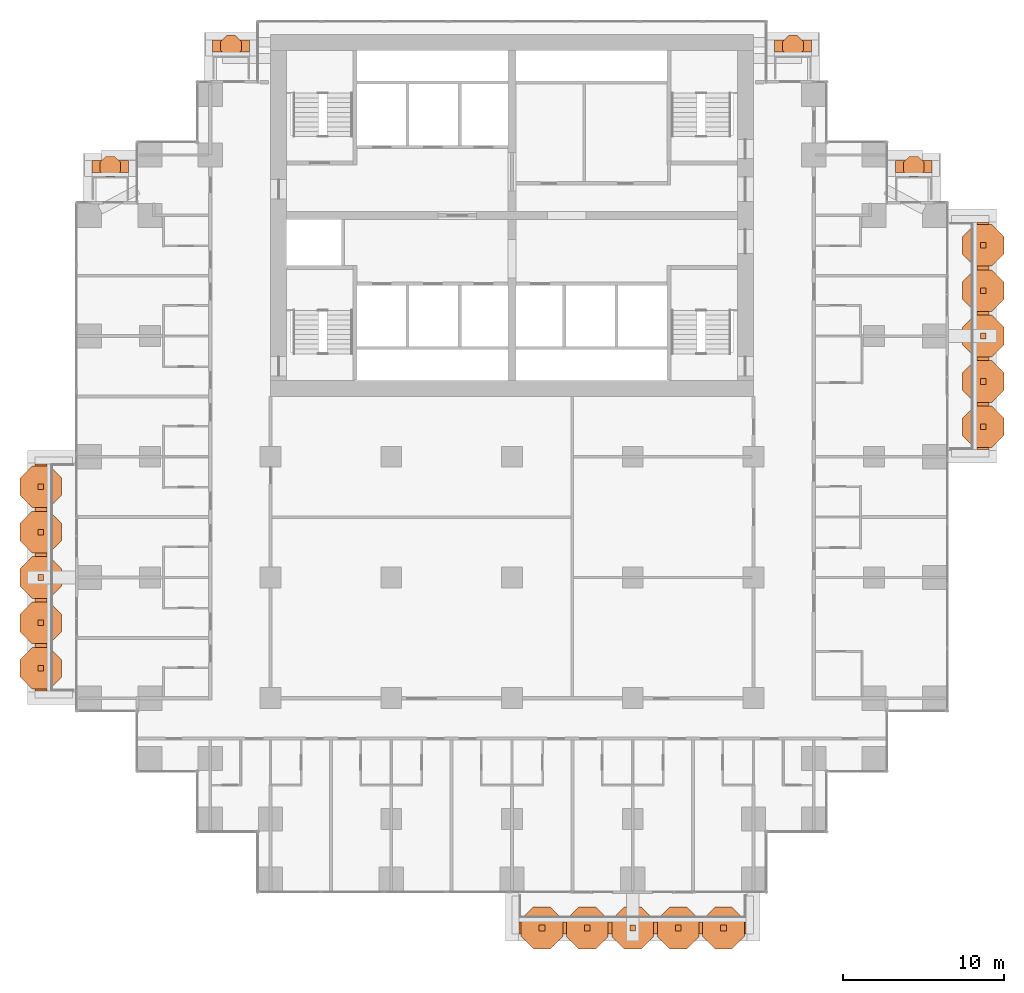
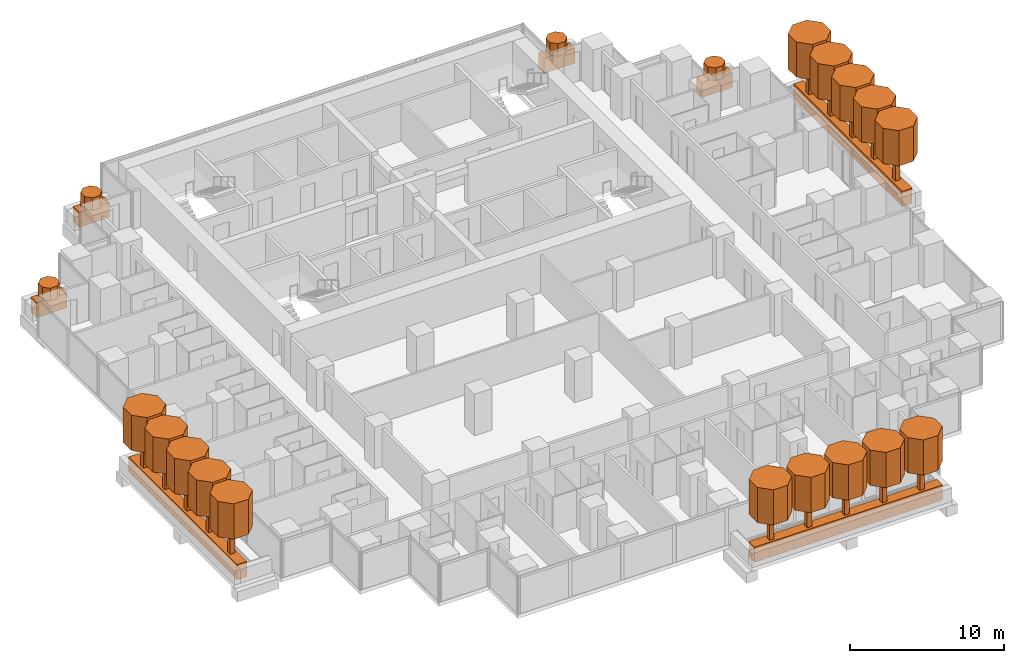
# One storey, part 20 of 20: 41 geographic elements.
"""IFC4 building model written with IfcOpenShell, lengths in metres."""

import ifcopenshell
import ifcopenshell.guid

model = None  # the IFC model being written
_history = None  # IfcOwnerHistory: only IFC2X3 demands one
_inside = {}  # id of a spatial element -> (the spatial element, [elements in it])
_under = {}  # id of a project, library or spatial element -> (it, [spatial elements below it])
_declared = {}  # id of a project -> (the project, [libraries it declares])
_typed = {}  # id of a type object -> (the type object, [elements of that type])
_made_of = {}  # id of a material, layer set ... -> (it, [elements and type objects made of it])


def new_model(schema):
    """Start an empty IFC model of exactly this schema.

    Asked for "IFC4X3", IfcOpenShell would pick the latest addendum, in which some entities
    have other attributes; the version numbers below select the first issue.
    IFC2X3 requires an IfcOwnerHistory on every rooted entity: one is made here for all.
    """
    global model, _history
    if schema == "IFC4X3":
        model = ifcopenshell.file(schema_version=(4, 3, 0, 0))
    else:
        model = ifcopenshell.file(schema=schema)
    _inside.clear()
    _under.clear()
    _declared.clear()
    _typed.clear()
    _made_of.clear()
    _history = None
    if model.schema == "IFC2X3":
        org = make("IfcOrganization", Name="unknown")
        user = make(
            "IfcPersonAndOrganization",
            ThePerson=make("IfcPerson", FamilyName="unknown"),
            TheOrganization=org,
        )
        app = make(
            "IfcApplication",
            ApplicationDeveloper=org,
            Version="unknown",
            ApplicationFullName="unknown",
            ApplicationIdentifier="unknown",
        )
        _history = make(
            "IfcOwnerHistory",
            OwningUser=user,
            OwningApplication=app,
            ChangeAction="ADDED",
            CreationDate=0,
        )
    return model


def make(cls, **values):
    """One entity of the class cls with the attributes given. An attribute that is None is left unset."""
    return model.create_entity(
        cls, **{name: value for name, value in values.items() if value is not None}
    )


def rooted(cls, **values):
    """An entity with a GlobalId (a new one), such as an element, a storey or a relation."""
    return make(cls, GlobalId=ifcopenshell.guid.new(), OwnerHistory=_history, **values)


def si_unit(unit_type, name, prefix=None):
    """IfcSIUnit, for example si_unit("LENGTHUNIT", "METRE", prefix="MILLI")."""
    return make("IfcSIUnit", UnitType=unit_type, Prefix=prefix, Name=name)


def assignment(units):
    """IfcUnitAssignment: the units of a project."""
    return None if units is None else make("IfcUnitAssignment", Units=units)


def point(xyz):
    """IfcCartesianPoint."""
    return None if xyz is None else make("IfcCartesianPoint", Coordinates=xyz)


def direction(xyz):
    """IfcDirection."""
    return None if xyz is None else make("IfcDirection", DirectionRatios=xyz)


def frame(location, z_axis=None, x_axis=None):
    """IfcAxis2Placement3D, a coordinate frame: its origin and axes. An axis left out is left unset."""
    return make(
        "IfcAxis2Placement3D",
        Location=point(location),
        Axis=direction(z_axis),
        RefDirection=direction(x_axis),
    )


def frame_2d(location, x_axis=None):
    """IfcAxis2Placement2D, a coordinate frame in the plane: its origin and x axis."""
    return make(
        "IfcAxis2Placement2D", Location=point(location), RefDirection=direction(x_axis)
    )


def origin():
    """The frame at (0, 0, 0) with its axes left unset."""
    return frame((0.0, 0.0, 0.0))


def origin_2d():
    """The frame at (0, 0) in the plane with its x axis left unset."""
    return frame_2d((0.0, 0.0))


def place(relative_to, where):
    """IfcLocalPlacement: puts the frame where relative to a parent placement (None: the world)."""
    return make(
        "IfcLocalPlacement", PlacementRelTo=relative_to, RelativePlacement=where
    )


def context(
    kind, dimensions, precision=None, world=None, true_north=None, identifier=None
):
    """IfcGeometricRepresentationContext, for example the 3D "Model" context."""
    return make(
        "IfcGeometricRepresentationContext",
        ContextIdentifier=identifier,
        ContextType=kind,
        CoordinateSpaceDimension=dimensions,
        Precision=precision,
        WorldCoordinateSystem=world,
        TrueNorth=true_north,
    )


def subcontext(parent, identifier, kind, view, scale=None):
    """IfcGeometricRepresentationSubContext, for example "Body" below "Model"."""
    return make(
        "IfcGeometricRepresentationSubContext",
        ContextIdentifier=identifier,
        ContextType=kind,
        ParentContext=parent,
        TargetScale=scale,
        TargetView=view,
    )


def project(units=None, contexts=None):
    """IfcProject with its units and contexts."""
    return rooted(
        "IfcProject",
        Name="project",
        RepresentationContexts=contexts,
        UnitsInContext=assignment(units),
    )


def spatial(cls, under=None, at=None, **own):
    """A site, building, storey or space (cls), placed at a placement, below another one or the project."""
    s = rooted(cls, ObjectPlacement=at, **own)
    if under is not None:
        _under.setdefault(under.id(), (under, []))[1].append(s)
    return s


def polyline(points):
    """IfcPolyline through the points."""
    return make("IfcPolyline", Points=[point(p) for p in points])


def profile(cls, at=None, kind="AREA", **sizes):
    """A parametric profile (cls). Its sizes go by their IFC names, for example OverallWidth=200.0."""
    return make(cls, ProfileType=kind, Position=at, **sizes)


def rectangle(**sizes):
    """IfcRectangleProfileDef."""
    return profile("IfcRectangleProfileDef", **sizes)


def outline(outer, holes=None, kind="AREA"):
    """IfcArbitraryClosedProfileDef: a profile drawn as a closed curve; with holes, ...WithVoids."""
    if holes is None:
        return make("IfcArbitraryClosedProfileDef", ProfileType=kind, OuterCurve=outer)
    return make(
        "IfcArbitraryProfileDefWithVoids",
        ProfileType=kind,
        OuterCurve=outer,
        InnerCurves=holes,
    )


def extrude(swept, where, along, depth):
    """IfcExtrudedAreaSolid: the profile swept, set in the frame where, extruded along a direction by depth."""
    return make(
        "IfcExtrudedAreaSolid",
        SweptArea=swept,
        Position=where,
        ExtrudedDirection=direction(along),
        Depth=depth,
    )


def shape(context_of_items, identifier, shape_type, items):
    """IfcShapeRepresentation: the items that make up one representation, for example the "Body"."""
    return make(
        "IfcShapeRepresentation",
        ContextOfItems=context_of_items,
        RepresentationIdentifier=identifier,
        RepresentationType=shape_type,
        Items=items,
    )


def material(Name=None, Category=None):
    """IfcMaterial."""
    return make("IfcMaterial", Name=Name, Category=Category)


def material_profile(
    of_material, cross_section, Name=None, Category=None, Priority=None
):
    """IfcMaterialProfile: a cross section and its material."""
    return make(
        "IfcMaterialProfile",
        Name=Name,
        Material=of_material,
        Profile=cross_section,
        Priority=Priority,
        Category=Category,
    )


def profile_set(profiles, Name=None, composite=None):
    """IfcMaterialProfileSet."""
    return make(
        "IfcMaterialProfileSet",
        Name=Name,
        MaterialProfiles=profiles,
        CompositeProfile=composite,
    )


def made_of(thing, what):
    """Note that an element or type object is made of a material, layer set ...; save() writes the relation."""
    if what is not None:
        _made_of.setdefault(what.id(), (what, []))[1].append(thing)
    return thing


def type_object(cls, material=None, **own):
    """A type object (cls), such as IfcWallType, which elements share."""
    return made_of(rooted(cls, **own), material)


def element(
    cls,
    number,
    at=None,
    inside=None,
    cuts=None,
    type_object=None,
    material=None,
    context=None,
    identifier="Body",
    shape_type=None,
    held_by="IfcProductDefinitionShape",
    body=None,
    shapes=None,
    **own,
):
    """One element of the class cls, such as IfcWall. Its Tag is "e" and its number.

    at: its placement. inside: the storey or other place that contains it. cuts: it is an
    opening in that element (IfcRelVoidsElement). A single representation is given by context,
    identifier, shape_type and body (its items); several are given by shapes. held_by: the class
    of the entity that holds the representations. save() writes the other relations.
    """
    e = rooted(cls, Tag="e%d" % number, ObjectPlacement=at, **own)
    if body is not None:
        shapes = [shape(context, identifier, shape_type, body)]
    if shapes is not None:
        e.Representation = make(held_by, Representations=shapes)
    if inside is not None:
        _inside.setdefault(inside.id(), (inside, []))[1].append(e)
    if cuts is not None:
        rooted(
            "IfcRelVoidsElement", RelatingBuildingElement=cuts, RelatedOpeningElement=e
        )
    if type_object is not None:
        _typed.setdefault(type_object.id(), (type_object, []))[1].append(e)
    return made_of(e, material)


def aggregate(whole, parts):
    """IfcRelAggregates: a whole, such as a stair, and the parts it consists of."""
    return rooted("IfcRelAggregates", RelatingObject=whole, RelatedObjects=parts)


def save(model, path):
    """Write the relations noted so far, then the file.

    IfcRelAggregates (storeys below a building ...), IfcRelContainedInSpatialStructure (elements
    in a storey), IfcRelDefinesByType, IfcRelAssociatesMaterial and IfcRelDeclares: one each for
    every whole, place, type object, material and project.
    """
    for whole, parts in _under.values():
        aggregate(whole, parts)
    for where, things in _inside.values():
        rooted(
            "IfcRelContainedInSpatialStructure",
            RelatedElements=things,
            RelatingStructure=where,
        )
    for kind, things in _typed.values():
        rooted("IfcRelDefinesByType", RelatedObjects=things, RelatingType=kind)
    for what, things in _made_of.values():
        rooted("IfcRelAssociatesMaterial", RelatedObjects=things, RelatingMaterial=what)
    for by, libraries in _declared.values():
        rooted("IfcRelDeclares", RelatingContext=by, RelatedDefinitions=libraries)
    model.write(path)


model = new_model("IFC4")

# Units and contexts
model_context = context("Model", 3, precision=1e-05, world=origin(), true_north=direction((0.0, 1.0)))
body_context = subcontext(model_context, "Body", "Model", "MODEL_VIEW")
ifc_project = project(units=[si_unit("LENGTHUNIT", "METRE"), si_unit("AREAUNIT", "SQUARE_METRE"), si_unit("VOLUMEUNIT", "CUBIC_METRE"), si_unit("PLANEANGLEUNIT", "RADIAN"), si_unit("MASSUNIT", "GRAM", prefix="KILO")], contexts=[model_context])

# Site, building, storey
site_placement = place(None, origin())
site = spatial("IfcSite", under=ifc_project, at=site_placement, CompositionType="ELEMENT")
building_placement = place(site_placement, origin())
building = spatial("IfcBuilding", under=site, at=building_placement, Name="Pilkhan Gate Tower", CompositionType="ELEMENT")
storey_placement = place(building_placement, frame((0.0, 0.0, 85.699951171875)))
storey = spatial("IfcBuildingStorey", under=building, at=storey_placement, Name="L20", CompositionType="ELEMENT", Elevation=85.699951171875)

# Geographic elements
ifc_material_1 = material(Name="Foliage")
ifc_material_profile_1 = material_profile(ifc_material_1, rectangle(XDim=0.75, YDim=1.199951171875, at=origin_2d()), Name="Bed 750x1200")
ifc_profile_set_1 = profile_set([ifc_material_profile_1], Name="Foliage")
geographic_element_type_1 = type_object("IfcGeographicElementType", Name="Planting bed PB1", PredefinedType="USERDEFINED", material=ifc_profile_set_1)
for number, where, z_axis, x_axis, name in (
    (1, (75.449951171875, 38.22509765625, 0.60009765625), (1.0, 0.0, 0.0), (0.0, 1.0, 0.0), "Balcony L20 S planting bed"),
    (2, (104.27490234375, 67.949951171875, 0.60009765625), (0.0, 1.0, 0.0), (-1.0, 0.0, 0.0), "Balcony L20 E planting bed"),
):
    element("IfcGeographicElement", number, at=place(storey_placement, frame(where, z_axis=z_axis, x_axis=x_axis)), inside=storey, type_object=geographic_element_type_1, Name=name, ObjectType="PLANTING BED", PredefinedType="USERDEFINED", context=body_context, shape_type="SweptSolid", body=[
        extrude(rectangle(XDim=0.75, YDim=1.199951171875, at=origin_2d()), origin(), (0.0, 0.0, 1.0), 14.10009765625),
    ])
for number, where, z_axis, x_axis, name in (
    (3, (56.39990234375, 93.02490234375, 0.60009765625), (1.0, 0.0, 0.0), (0.0, 1.0, 0.0), "Balcony L20 N planting bed"),
    (4, (91.300048828125, 93.02490234375, 0.60009765625), (1.0, 0.0, 0.0), (0.0, 1.0, 0.0), "Balcony L20 N planting bed"),
):
    element("IfcGeographicElement", number, at=place(storey_placement, frame(where, z_axis=z_axis, x_axis=x_axis)), inside=storey, type_object=geographic_element_type_1, Name=name, ObjectType="PLANTING BED", PredefinedType="USERDEFINED", context=body_context, shape_type="SweptSolid", body=[
        extrude(rectangle(XDim=0.75, YDim=1.199951171875, at=origin_2d()), origin(), (0.0, 0.0, 1.0), 2.300048828125),
    ])
for number, where, z_axis, x_axis, name in (
    (5, (48.89990234375, 85.52490234375, 0.60009765625), (1.0, 0.0, 0.0), (0.0, 1.0, 0.0), "Balcony L20 N planting bed"),
    (6, (98.820068359375, 85.52490234375, 0.60009765625), (1.0, 0.0, 0.0), (0.0, 1.0, 0.0), "Balcony L20 N planting bed"),
):
    element("IfcGeographicElement", number, at=place(storey_placement, frame(where, z_axis=z_axis, x_axis=x_axis)), inside=storey, type_object=geographic_element_type_1, Name=name, ObjectType="PLANTING BED", PredefinedType="USERDEFINED", context=body_context, shape_type="SweptSolid", body=[
        extrude(rectangle(XDim=0.75, YDim=1.199951171875, at=origin_2d()), origin(), (0.0, 0.0, 1.0), 2.280029296875),
    ])
geographic_element_placement = place(storey_placement, frame((45.72509765625, 52.949951171875, 0.60009765625), z_axis=(0.0, 1.0, 0.0), x_axis=(-1.0, 0.0, 0.0)))
element("IfcGeographicElement", 7, at=geographic_element_placement, inside=storey, type_object=geographic_element_type_1, Name="Balcony L20 W planting bed", ObjectType="PLANTING BED", PredefinedType="USERDEFINED", context=body_context, shape_type="SweptSolid", body=[
    extrude(rectangle(XDim=0.75, YDim=1.199951171875, at=origin_2d()), origin(), (0.0, 0.0, 1.0), 14.10009765625),
])
ifc_material_profile_2 = material_profile(ifc_material_1, outline(polyline([(0.646728515625, 0.267822265625), (0.267822265625, 0.646728515625), (-0.267822265625, 0.646728515625), (-0.646728515625, 0.267822265625), (-0.646728515625, -0.267822265625), (-0.267822265625, -0.646728515625), (0.267822265625, -0.646728515625), (0.646728515625, -0.267822265625), (0.646728515625, 0.267822265625)])), Name="Shrub D1.4")
ifc_profile_set_2 = profile_set([ifc_material_profile_2], Name="Foliage")
geographic_element_type_2 = type_object("IfcGeographicElementType", Name="Shrub SH07", PredefinedType="USERDEFINED", material=ifc_profile_set_2)
for number, where, z_axis, x_axis, name in (
    (8, (57.550048828125, 93.02490234375, 1.199951171875), (0.0, 0.0, 1.0), (1.0, 0.0, 0.0), "Shrub L20 N 1"),
    (9, (92.449951171875, 93.02490234375, 1.199951171875), (0.0, 0.0, 1.0), (1.0, 0.0, 0.0), "Shrub L20 N 1"),
    (10, (50.0400390625, 85.52490234375, 1.199951171875), (0.0, 0.0, 1.0), (1.0, 0.0, 0.0), "Shrub L20 N 1"),
    (11, (99.9599609375, 85.52490234375, 1.199951171875), (0.0, 0.0, 1.0), (1.0, 0.0, 0.0), "Shrub L20 N 1"),
):
    element("IfcGeographicElement", number, at=place(storey_placement, frame(where, z_axis=z_axis, x_axis=x_axis)), inside=storey, type_object=geographic_element_type_2, Name=name, ObjectType="SHRUB", PredefinedType="USERDEFINED", context=body_context, shape_type="SweptSolid", body=[
        extrude(outline(polyline([(0.646728515625, 0.267822265625), (0.267822265625, 0.646728515625), (-0.267822265625, 0.646728515625), (-0.646728515625, 0.267822265625), (-0.646728515625, -0.267822265625), (-0.267822265625, -0.646728515625), (0.267822265625, -0.646728515625), (0.646728515625, -0.267822265625), (0.646728515625, 0.267822265625)])), origin(), (0.0, 0.0, 1.0), 1.0),
    ])
ifc_material_profile_3 = material_profile(ifc_material_1, outline(polyline([(1.29345703125, 0.535888671875), (0.535888671875, 1.29345703125), (-0.535888671875, 1.29345703125), (-1.29345703125, 0.535888671875), (-1.29345703125, -0.535888671875), (-0.535888671875, -1.29345703125), (0.535888671875, -1.29345703125), (1.29345703125, -0.535888671875), (1.29345703125, 0.535888671875)])), Name="Canopy D2.8")
ifc_profile_set_3 = profile_set([ifc_material_profile_3], Name="Foliage")
geographic_element_type_3 = type_object("IfcGeographicElementType", Name="Tree canopy TC14", PredefinedType="USERDEFINED", material=ifc_profile_set_3)
for number, where, z_axis, x_axis, name in (
    (12, (76.860107421875, 38.22509765625, 3.199951171875), (0.0, 0.0, 1.0), (1.0, 0.0, 0.0), "Tree L20 S 1 canopy"),
    (13, (79.679931640625, 38.22509765625, 3.199951171875), (0.0, 0.0, 1.0), (1.0, 0.0, 0.0), "Tree L20 S 2 canopy"),
    (14, (82.5, 38.22509765625, 3.199951171875), (0.0, 0.0, 1.0), (1.0, 0.0, 0.0), "Tree L20 S 3 canopy"),
    (15, (85.320068359375, 38.22509765625, 3.199951171875), (0.0, 0.0, 1.0), (1.0, 0.0, 0.0), "Tree L20 S 4 canopy"),
    (16, (88.139892578125, 38.22509765625, 3.199951171875), (0.0, 0.0, 1.0), (1.0, 0.0, 0.0), "Tree L20 S 5 canopy"),
    (17, (104.27490234375, 69.360107421875, 3.199951171875), (0.0, 0.0, 1.0), (1.0, 0.0, 0.0), "Tree L20 E 1 canopy"),
    (18, (104.27490234375, 72.179931640625, 3.199951171875), (0.0, 0.0, 1.0), (1.0, 0.0, 0.0), "Tree L20 E 2 canopy"),
    (19, (104.27490234375, 75.0, 3.199951171875), (0.0, 0.0, 1.0), (1.0, 0.0, 0.0), "Tree L20 E 3 canopy"),
    (20, (104.27490234375, 77.820068359375, 3.199951171875), (0.0, 0.0, 1.0), (1.0, 0.0, 0.0), "Tree L20 E 4 canopy"),
    (21, (104.27490234375, 80.639892578125, 3.199951171875), (0.0, 0.0, 1.0), (1.0, 0.0, 0.0), "Tree L20 E 5 canopy"),
    (22, (45.72509765625, 54.360107421875, 3.199951171875), (0.0, 0.0, 1.0), (1.0, 0.0, 0.0), "Tree L20 W 1 canopy"),
    (23, (45.72509765625, 57.179931640625, 3.199951171875), (0.0, 0.0, 1.0), (1.0, 0.0, 0.0), "Tree L20 W 2 canopy"),
    (24, (45.72509765625, 60.0, 3.199951171875), (0.0, 0.0, 1.0), (1.0, 0.0, 0.0), "Tree L20 W 3 canopy"),
    (25, (45.72509765625, 62.820068359375, 3.199951171875), (0.0, 0.0, 1.0), (1.0, 0.0, 0.0), "Tree L20 W 4 canopy"),
    (26, (45.72509765625, 65.639892578125, 3.199951171875), (0.0, 0.0, 1.0), (1.0, 0.0, 0.0), "Tree L20 W 5 canopy"),
):
    element("IfcGeographicElement", number, at=place(storey_placement, frame(where, z_axis=z_axis, x_axis=x_axis)), inside=storey, type_object=geographic_element_type_3, Name=name, ObjectType="TREE", PredefinedType="USERDEFINED", context=body_context, shape_type="SweptSolid", body=[
        extrude(outline(polyline([(1.29345703125, 0.535888671875), (0.535888671875, 1.29345703125), (-0.535888671875, 1.29345703125), (-1.29345703125, 0.535888671875), (-1.29345703125, -0.535888671875), (-0.535888671875, -1.29345703125), (0.535888671875, -1.29345703125), (1.29345703125, -0.535888671875), (1.29345703125, 0.535888671875)])), origin(), (0.0, 0.0, 1.0), 2.800048828125),
    ])
ifc_material_2 = material(Name="Timber trunk", Category="wood")
geographic_element_type_4 = type_object("IfcGeographicElementType", Name="Tree trunk TT1", PredefinedType="USERDEFINED", material=ifc_material_2)
for number, where, z_axis, x_axis, name in (
    (27, (76.860107421875, 38.22509765625, 1.199951171875), (0.0, 0.0, 1.0), (1.0, 0.0, 0.0), "Tree L20 S 1 trunk"),
    (28, (79.679931640625, 38.22509765625, 1.199951171875), (0.0, 0.0, 1.0), (1.0, 0.0, 0.0), "Tree L20 S 2 trunk"),
    (29, (82.5, 38.22509765625, 1.199951171875), (0.0, 0.0, 1.0), (1.0, 0.0, 0.0), "Tree L20 S 3 trunk"),
    (30, (85.320068359375, 38.22509765625, 1.199951171875), (0.0, 0.0, 1.0), (1.0, 0.0, 0.0), "Tree L20 S 4 trunk"),
    (31, (88.139892578125, 38.22509765625, 1.199951171875), (0.0, 0.0, 1.0), (1.0, 0.0, 0.0), "Tree L20 S 5 trunk"),
    (32, (104.27490234375, 69.360107421875, 1.199951171875), (0.0, 0.0, 1.0), (1.0, 0.0, 0.0), "Tree L20 E 1 trunk"),
    (33, (104.27490234375, 72.179931640625, 1.199951171875), (0.0, 0.0, 1.0), (1.0, 0.0, 0.0), "Tree L20 E 2 trunk"),
    (34, (104.27490234375, 75.0, 1.199951171875), (0.0, 0.0, 1.0), (1.0, 0.0, 0.0), "Tree L20 E 3 trunk"),
    (35, (104.27490234375, 77.820068359375, 1.199951171875), (0.0, 0.0, 1.0), (1.0, 0.0, 0.0), "Tree L20 E 4 trunk"),
    (36, (104.27490234375, 80.639892578125, 1.199951171875), (0.0, 0.0, 1.0), (1.0, 0.0, 0.0), "Tree L20 E 5 trunk"),
    (37, (45.72509765625, 54.360107421875, 1.199951171875), (0.0, 0.0, 1.0), (1.0, 0.0, 0.0), "Tree L20 W 1 trunk"),
    (38, (45.72509765625, 57.179931640625, 1.199951171875), (0.0, 0.0, 1.0), (1.0, 0.0, 0.0), "Tree L20 W 2 trunk"),
    (39, (45.72509765625, 60.0, 1.199951171875), (0.0, 0.0, 1.0), (1.0, 0.0, 0.0), "Tree L20 W 3 trunk"),
    (40, (45.72509765625, 62.820068359375, 1.199951171875), (0.0, 0.0, 1.0), (1.0, 0.0, 0.0), "Tree L20 W 4 trunk"),
    (41, (45.72509765625, 65.639892578125, 1.199951171875), (0.0, 0.0, 1.0), (1.0, 0.0, 0.0), "Tree L20 W 5 trunk"),
):
    element("IfcGeographicElement", number, at=place(storey_placement, frame(where, z_axis=z_axis, x_axis=x_axis)), inside=storey, type_object=geographic_element_type_4, Name=name, ObjectType="TREE", PredefinedType="USERDEFINED", context=body_context, shape_type="SweptSolid", body=[
        extrude(rectangle(XDim=0.35009765625, YDim=0.35009765625, at=origin_2d()), origin(), (0.0, 0.0, 1.0), 2.0),
    ])

save(model, "model.ifc")
